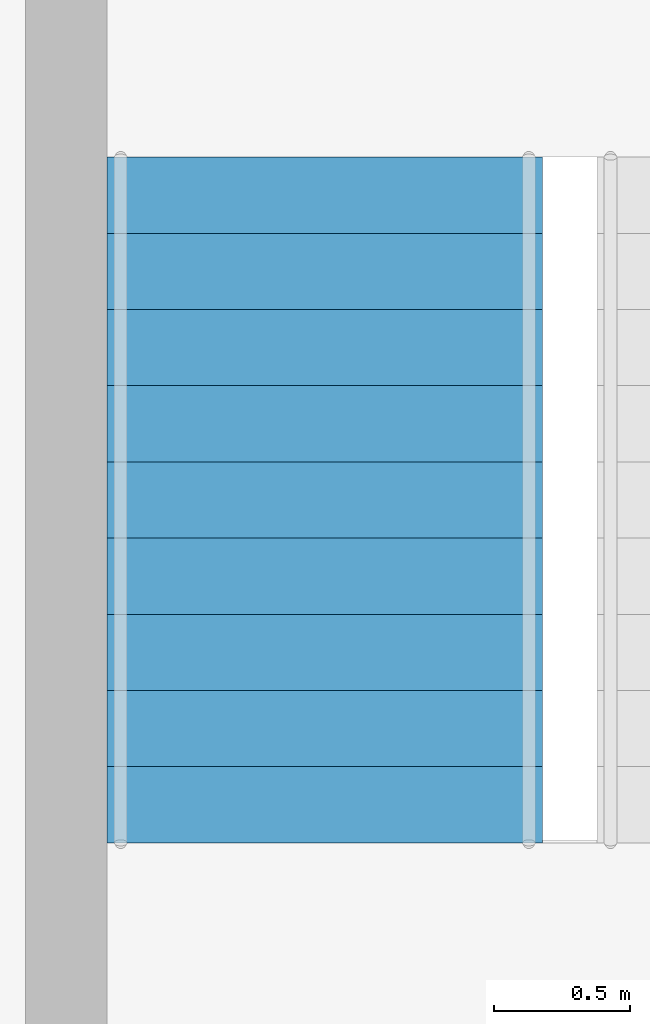
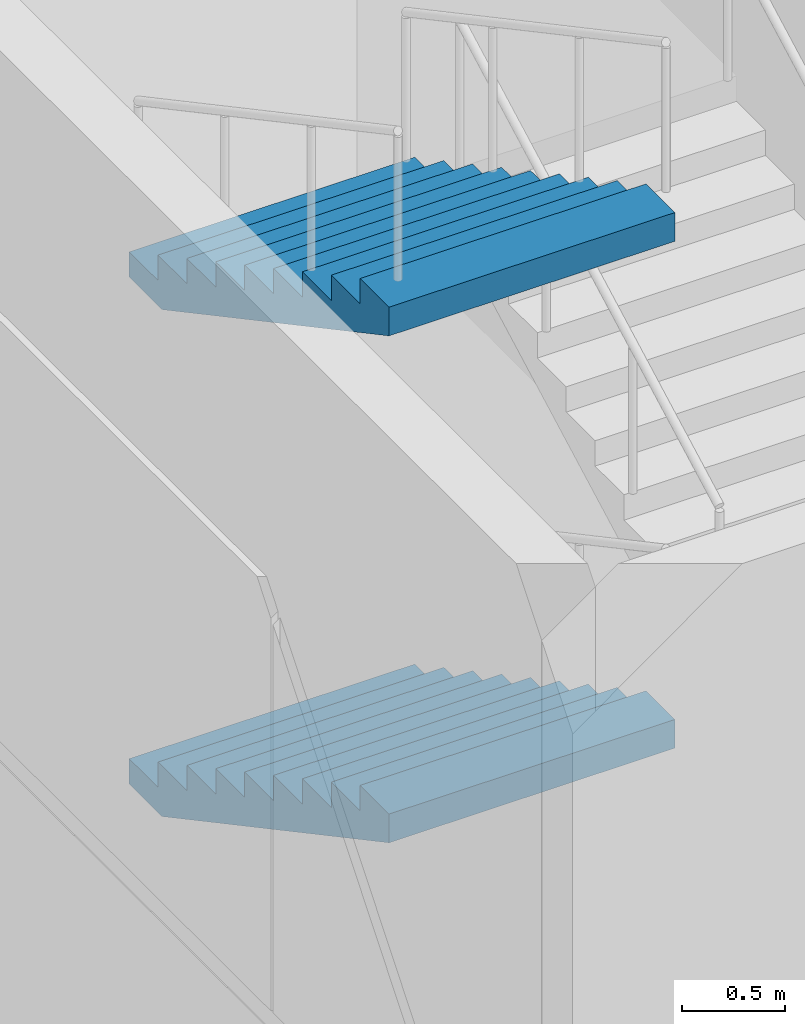
# One storey, part 78 of 100: 2 stair flights, 1 element without a shape of its own.
"""IFC4 building model written with IfcOpenShell, lengths in metres."""

import ifcopenshell
import ifcopenshell.guid

model = None  # the IFC model being written
_history = None  # IfcOwnerHistory: only IFC2X3 demands one
_inside = {}  # id of a spatial element -> (the spatial element, [elements in it])
_under = {}  # id of a project, library or spatial element -> (it, [spatial elements below it])
_declared = {}  # id of a project -> (the project, [libraries it declares])
_typed = {}  # id of a type object -> (the type object, [elements of that type])
_made_of = {}  # id of a material, layer set ... -> (it, [elements and type objects made of it])


def new_model(schema):
    """Start an empty IFC model of exactly this schema.

    Asked for "IFC4X3", IfcOpenShell would pick the latest addendum, in which some entities
    have other attributes; the version numbers below select the first issue.
    IFC2X3 requires an IfcOwnerHistory on every rooted entity: one is made here for all.
    """
    global model, _history
    if schema == "IFC4X3":
        model = ifcopenshell.file(schema_version=(4, 3, 0, 0))
    else:
        model = ifcopenshell.file(schema=schema)
    _inside.clear()
    _under.clear()
    _declared.clear()
    _typed.clear()
    _made_of.clear()
    _history = None
    if model.schema == "IFC2X3":
        org = make("IfcOrganization", Name="unknown")
        user = make(
            "IfcPersonAndOrganization",
            ThePerson=make("IfcPerson", FamilyName="unknown"),
            TheOrganization=org,
        )
        app = make(
            "IfcApplication",
            ApplicationDeveloper=org,
            Version="unknown",
            ApplicationFullName="unknown",
            ApplicationIdentifier="unknown",
        )
        _history = make(
            "IfcOwnerHistory",
            OwningUser=user,
            OwningApplication=app,
            ChangeAction="ADDED",
            CreationDate=0,
        )
    return model


def make(cls, **values):
    """One entity of the class cls with the attributes given. An attribute that is None is left unset."""
    return model.create_entity(
        cls, **{name: value for name, value in values.items() if value is not None}
    )


def rooted(cls, **values):
    """An entity with a GlobalId (a new one), such as an element, a storey or a relation."""
    return make(cls, GlobalId=ifcopenshell.guid.new(), OwnerHistory=_history, **values)


def si_unit(unit_type, name, prefix=None):
    """IfcSIUnit, for example si_unit("LENGTHUNIT", "METRE", prefix="MILLI")."""
    return make("IfcSIUnit", UnitType=unit_type, Prefix=prefix, Name=name)


def assignment(units):
    """IfcUnitAssignment: the units of a project."""
    return None if units is None else make("IfcUnitAssignment", Units=units)


def point(xyz):
    """IfcCartesianPoint."""
    return None if xyz is None else make("IfcCartesianPoint", Coordinates=xyz)


def direction(xyz):
    """IfcDirection."""
    return None if xyz is None else make("IfcDirection", DirectionRatios=xyz)


def frame(location, z_axis=None, x_axis=None):
    """IfcAxis2Placement3D, a coordinate frame: its origin and axes. An axis left out is left unset."""
    return make(
        "IfcAxis2Placement3D",
        Location=point(location),
        Axis=direction(z_axis),
        RefDirection=direction(x_axis),
    )


def origin():
    """The frame at (0, 0, 0) with its axes left unset."""
    return frame((0.0, 0.0, 0.0))


def place(relative_to, where):
    """IfcLocalPlacement: puts the frame where relative to a parent placement (None: the world)."""
    return make(
        "IfcLocalPlacement", PlacementRelTo=relative_to, RelativePlacement=where
    )


def context(
    kind, dimensions, precision=None, world=None, true_north=None, identifier=None
):
    """IfcGeometricRepresentationContext, for example the 3D "Model" context."""
    return make(
        "IfcGeometricRepresentationContext",
        ContextIdentifier=identifier,
        ContextType=kind,
        CoordinateSpaceDimension=dimensions,
        Precision=precision,
        WorldCoordinateSystem=world,
        TrueNorth=true_north,
    )


def subcontext(parent, identifier, kind, view, scale=None):
    """IfcGeometricRepresentationSubContext, for example "Body" below "Model"."""
    return make(
        "IfcGeometricRepresentationSubContext",
        ContextIdentifier=identifier,
        ContextType=kind,
        ParentContext=parent,
        TargetScale=scale,
        TargetView=view,
    )


def project(units=None, contexts=None):
    """IfcProject with its units and contexts."""
    return rooted(
        "IfcProject",
        Name="project",
        RepresentationContexts=contexts,
        UnitsInContext=assignment(units),
    )


def spatial(cls, under=None, at=None, **own):
    """A site, building, storey or space (cls), placed at a placement, below another one or the project."""
    s = rooted(cls, ObjectPlacement=at, **own)
    if under is not None:
        _under.setdefault(under.id(), (under, []))[1].append(s)
    return s


def point_list(points):
    """IfcCartesianPointList2D or 3D."""
    cls = (
        "IfcCartesianPointList2D" if len(points[0]) == 2 else "IfcCartesianPointList3D"
    )
    return make(cls, CoordList=points)


def triangles(points, corners, closed=None, point_numbers=None):
    """IfcTriangulatedFaceSet: each triangle names its three corners, points numbered from 1."""
    return make(
        "IfcTriangulatedFaceSet",
        Coordinates=point_list(points),
        Closed=closed,
        CoordIndex=corners,
        PnIndex=point_numbers,
    )


def shape(context_of_items, identifier, shape_type, items):
    """IfcShapeRepresentation: the items that make up one representation, for example the "Body"."""
    return make(
        "IfcShapeRepresentation",
        ContextOfItems=context_of_items,
        RepresentationIdentifier=identifier,
        RepresentationType=shape_type,
        Items=items,
    )


def material(Name=None, Category=None):
    """IfcMaterial."""
    return make("IfcMaterial", Name=Name, Category=Category)


def made_of(thing, what):
    """Note that an element or type object is made of a material, layer set ...; save() writes the relation."""
    if what is not None:
        _made_of.setdefault(what.id(), (what, []))[1].append(thing)
    return thing


def type_object(cls, material=None, **own):
    """A type object (cls), such as IfcWallType, which elements share."""
    return made_of(rooted(cls, **own), material)


def element(
    cls,
    number,
    at=None,
    inside=None,
    cuts=None,
    type_object=None,
    material=None,
    context=None,
    identifier="Body",
    shape_type=None,
    held_by="IfcProductDefinitionShape",
    body=None,
    shapes=None,
    **own,
):
    """One element of the class cls, such as IfcWall. Its Tag is "e" and its number.

    at: its placement. inside: the storey or other place that contains it. cuts: it is an
    opening in that element (IfcRelVoidsElement). A single representation is given by context,
    identifier, shape_type and body (its items); several are given by shapes. held_by: the class
    of the entity that holds the representations. save() writes the other relations.
    """
    e = rooted(cls, Tag="e%d" % number, ObjectPlacement=at, **own)
    if body is not None:
        shapes = [shape(context, identifier, shape_type, body)]
    if shapes is not None:
        e.Representation = make(held_by, Representations=shapes)
    if inside is not None:
        _inside.setdefault(inside.id(), (inside, []))[1].append(e)
    if cuts is not None:
        rooted(
            "IfcRelVoidsElement", RelatingBuildingElement=cuts, RelatedOpeningElement=e
        )
    if type_object is not None:
        _typed.setdefault(type_object.id(), (type_object, []))[1].append(e)
    return made_of(e, material)


def aggregate(whole, parts):
    """IfcRelAggregates: a whole, such as a stair, and the parts it consists of."""
    return rooted("IfcRelAggregates", RelatingObject=whole, RelatedObjects=parts)


def save(model, path):
    """Write the relations noted so far, then the file.

    IfcRelAggregates (storeys below a building ...), IfcRelContainedInSpatialStructure (elements
    in a storey), IfcRelDefinesByType, IfcRelAssociatesMaterial and IfcRelDeclares: one each for
    every whole, place, type object, material and project.
    """
    for whole, parts in _under.values():
        aggregate(whole, parts)
    for where, things in _inside.values():
        rooted(
            "IfcRelContainedInSpatialStructure",
            RelatedElements=things,
            RelatingStructure=where,
        )
    for kind, things in _typed.values():
        rooted("IfcRelDefinesByType", RelatedObjects=things, RelatingType=kind)
    for what, things in _made_of.values():
        rooted("IfcRelAssociatesMaterial", RelatedObjects=things, RelatingMaterial=what)
    for by, libraries in _declared.values():
        rooted("IfcRelDeclares", RelatingContext=by, RelatedDefinitions=libraries)
    model.write(path)


model = new_model("IFC4")

# Units and contexts
model_context = context("Model", 3, precision=1e-05, world=origin(), true_north=direction((0.0, 1.0)))
body_context = subcontext(model_context, "Body", "Model", "MODEL_VIEW")
ifc_project = project(units=[si_unit("LENGTHUNIT", "METRE"), si_unit("AREAUNIT", "SQUARE_METRE"), si_unit("VOLUMEUNIT", "CUBIC_METRE"), si_unit("PLANEANGLEUNIT", "RADIAN"), si_unit("MASSUNIT", "GRAM", prefix="KILO")], contexts=[model_context])

# Site, building, storey
site_placement = place(None, origin())
site = spatial("IfcSite", under=ifc_project, at=site_placement, CompositionType="ELEMENT")
building_placement = place(site_placement, origin())
building = spatial("IfcBuilding", under=site, at=building_placement, Name="Hakoniwa Tower and Hamabe Station Hall", CompositionType="ELEMENT")
storey_placement = place(building_placement, frame((0.0, 0.0, 9.0)))
storey = spatial("IfcBuildingStorey", under=building, at=storey_placement, Name="L02", CompositionType="ELEMENT", Elevation=9.0)

# Stair, stair flights
ifc_material_1 = material(Name="Concrete C40", Category="concrete")
stair_type = type_object("IfcStairType", Name="STAIR 1600 10X150", PredefinedType="HALF_TURN_STAIR", material=ifc_material_1)
stair_placement = place(storey_placement, origin())
stair = element("IfcStair", 1, at=stair_placement, inside=storey, type_object=stair_type, Name="Escape stair SS1 L02", PredefinedType="HALF_TURN_STAIR")
ifc_material_2 = material(Name="Concrete C40", Category="concrete")
stair_flight_type = type_object("IfcStairFlightType", Name="STAIR FLIGHT 1600", PredefinedType="STRAIGHT", material=ifc_material_2)
stair_flight_1_placement = place(storey_placement, frame((87.449951171875, 19.419921875, 1.5), z_axis=(0.0, 0.0, 1.0), x_axis=(0.0, -1.0, 0.0)))
stair_flight_1 = element("IfcStairFlight", 2, at=stair_flight_1_placement, type_object=stair_flight_type, Name="SS1 flight 2", NumberOfRisers=10, NumberOfTreads=9, PredefinedType="STRAIGHT", RiserHeight=0.15, TreadLength=0.28, context=body_context, shape_type="Tessellation", body=[
    triangles([(0.0, 0.800048828125, 0.0), (0.280029296875, 0.800048828125, 0.0), (0.3173828125, 0.800048828125, 0.0), (0.56005859375, 0.800048828125, 0.1298828125), (0.840087890625, 0.800048828125, 0.280029296875), (1.1201171875, 0.800048828125, 0.429931640625), (1.39990234375, 0.800048828125, 0.579833984375), (1.679931640625, 0.800048828125, 0.72998046875), (1.9599609375, 0.800048828125, 0.8798828125), (2.239990234375, 0.800048828125, 1.030029296875), (2.52001953125, 0.800048828125, 1.179931640625), (2.52001953125, 0.800048828125, 1.35009765625), (2.239990234375, 0.800048828125, 1.35009765625), (2.239990234375, 0.800048828125, 1.199951171875), (1.9599609375, 0.800048828125, 1.199951171875), (1.9599609375, 0.800048828125, 1.050048828125), (1.679931640625, 0.800048828125, 1.050048828125), (1.679931640625, 0.800048828125, 0.89990234375), (1.39990234375, 0.800048828125, 0.89990234375), (1.39990234375, 0.800048828125, 0.75), (1.1201171875, 0.800048828125, 0.75), (1.1201171875, 0.800048828125, 0.60009765625), (0.840087890625, 0.800048828125, 0.60009765625), (0.840087890625, 0.800048828125, 0.449951171875), (0.56005859375, 0.800048828125, 0.449951171875), (0.56005859375, 0.800048828125, 0.300048828125), (0.3173828125, 0.800048828125, 0.300048828125), (0.280029296875, 0.800048828125, 0.300048828125), (0.280029296875, 0.800048828125, 0.14990234375), (0.0, 0.800048828125, 0.14990234375), (0.0, 0.06005859375, 0.0), (0.280029296875, 0.06005859375, 0.0), (0.3173828125, 0.06005859375, 0.0), (0.56005859375, 0.06005859375, 0.1298828125), (0.840087890625, 0.06005859375, 0.280029296875), (1.1201171875, 0.06005859375, 0.429931640625), (1.39990234375, 0.06005859375, 0.579833984375), (1.679931640625, 0.06005859375, 0.72998046875), (1.9599609375, 0.06005859375, 0.8798828125), (2.239990234375, 0.06005859375, 1.030029296875), (2.52001953125, 0.06005859375, 1.179931640625), (2.52001953125, 0.06005859375, 1.35009765625), (2.239990234375, 0.06005859375, 1.35009765625), (2.239990234375, 0.06005859375, 1.199951171875), (1.9599609375, 0.06005859375, 1.199951171875), (1.9599609375, 0.06005859375, 1.050048828125), (1.679931640625, 0.06005859375, 1.050048828125), (1.679931640625, 0.06005859375, 0.89990234375), (1.39990234375, 0.06005859375, 0.89990234375), (1.39990234375, 0.06005859375, 0.75), (1.1201171875, 0.06005859375, 0.75), (1.1201171875, 0.06005859375, 0.60009765625), (0.840087890625, 0.06005859375, 0.60009765625), (0.840087890625, 0.06005859375, 0.449951171875), (0.56005859375, 0.06005859375, 0.449951171875), (0.56005859375, 0.06005859375, 0.300048828125), (0.3173828125, 0.06005859375, 0.300048828125), (0.280029296875, 0.06005859375, 0.300048828125), (0.280029296875, 0.06005859375, 0.14990234375), (0.0, 0.06005859375, 0.14990234375), (0.0, 0.02001953125, 0.0), (0.280029296875, 0.02001953125, 0.0), (0.3173828125, 0.02001953125, 0.0), (0.56005859375, 0.02001953125, 0.1298828125), (0.840087890625, 0.02001953125, 0.280029296875), (1.1201171875, 0.02001953125, 0.429931640625), (1.39990234375, 0.02001953125, 0.579833984375), (1.679931640625, 0.02001953125, 0.72998046875), (1.9599609375, 0.02001953125, 0.8798828125), (2.239990234375, 0.02001953125, 1.030029296875), (2.52001953125, 0.02001953125, 1.179931640625), (2.52001953125, 0.02001953125, 1.35009765625), (2.239990234375, 0.02001953125, 1.35009765625), (2.239990234375, 0.02001953125, 1.199951171875), (1.9599609375, 0.02001953125, 1.199951171875), (1.9599609375, 0.02001953125, 1.050048828125), (1.679931640625, 0.02001953125, 1.050048828125), (1.679931640625, 0.02001953125, 0.89990234375), (1.39990234375, 0.02001953125, 0.89990234375), (1.39990234375, 0.02001953125, 0.75), (1.1201171875, 0.02001953125, 0.75), (1.1201171875, 0.02001953125, 0.60009765625), (0.840087890625, 0.02001953125, 0.60009765625), (0.840087890625, 0.02001953125, 0.449951171875), (0.56005859375, 0.02001953125, 0.449951171875), (0.56005859375, 0.02001953125, 0.300048828125), (0.3173828125, 0.02001953125, 0.300048828125), (0.280029296875, 0.02001953125, 0.300048828125), (0.280029296875, 0.02001953125, 0.14990234375), (0.0, 0.02001953125, 0.14990234375), (0.0, -0.02001953125, 0.0), (0.280029296875, -0.02001953125, 0.0), (0.3173828125, -0.02001953125, 0.0), (0.56005859375, -0.02001953125, 0.1298828125), (0.840087890625, -0.02001953125, 0.280029296875), (1.1201171875, -0.02001953125, 0.429931640625), (1.39990234375, -0.02001953125, 0.579833984375), (1.679931640625, -0.02001953125, 0.72998046875), (1.9599609375, -0.02001953125, 0.8798828125), (2.239990234375, -0.02001953125, 1.030029296875), (2.52001953125, -0.02001953125, 1.179931640625), (2.52001953125, -0.02001953125, 1.35009765625), (2.239990234375, -0.02001953125, 1.35009765625), (2.239990234375, -0.02001953125, 1.199951171875), (1.9599609375, -0.02001953125, 1.199951171875), (1.9599609375, -0.02001953125, 1.050048828125), (1.679931640625, -0.02001953125, 1.050048828125), (1.679931640625, -0.02001953125, 0.89990234375), (1.39990234375, -0.02001953125, 0.89990234375), (1.39990234375, -0.02001953125, 0.75), (1.1201171875, -0.02001953125, 0.75), (1.1201171875, -0.02001953125, 0.60009765625), (0.840087890625, -0.02001953125, 0.60009765625), (0.840087890625, -0.02001953125, 0.449951171875), (0.56005859375, -0.02001953125, 0.449951171875), (0.56005859375, -0.02001953125, 0.300048828125), (0.3173828125, -0.02001953125, 0.300048828125), (0.280029296875, -0.02001953125, 0.300048828125), (0.280029296875, -0.02001953125, 0.14990234375), (0.0, -0.02001953125, 0.14990234375), (0.0, -0.06005859375, 0.0), (0.280029296875, -0.06005859375, 0.0), (0.3173828125, -0.06005859375, 0.0), (0.56005859375, -0.06005859375, 0.1298828125), (0.840087890625, -0.06005859375, 0.280029296875), (1.1201171875, -0.06005859375, 0.429931640625), (1.39990234375, -0.06005859375, 0.579833984375), (1.679931640625, -0.06005859375, 0.72998046875), (1.9599609375, -0.06005859375, 0.8798828125), (2.239990234375, -0.06005859375, 1.030029296875), (2.52001953125, -0.06005859375, 1.179931640625), (2.52001953125, -0.06005859375, 1.35009765625), (2.239990234375, -0.06005859375, 1.35009765625), (2.239990234375, -0.06005859375, 1.199951171875), (1.9599609375, -0.06005859375, 1.199951171875), (1.9599609375, -0.06005859375, 1.050048828125), (1.679931640625, -0.06005859375, 1.050048828125), (1.679931640625, -0.06005859375, 0.89990234375), (1.39990234375, -0.06005859375, 0.89990234375), (1.39990234375, -0.06005859375, 0.75), (1.1201171875, -0.06005859375, 0.75), (1.1201171875, -0.06005859375, 0.60009765625), (0.840087890625, -0.06005859375, 0.60009765625), (0.840087890625, -0.06005859375, 0.449951171875), (0.56005859375, -0.06005859375, 0.449951171875), (0.56005859375, -0.06005859375, 0.300048828125), (0.3173828125, -0.06005859375, 0.300048828125), (0.280029296875, -0.06005859375, 0.300048828125), (0.280029296875, -0.06005859375, 0.14990234375), (0.0, -0.06005859375, 0.14990234375), (0.0, -0.800048828125, 0.0), (0.280029296875, -0.800048828125, 0.0), (0.3173828125, -0.800048828125, 0.0), (0.56005859375, -0.800048828125, 0.1298828125), (0.840087890625, -0.800048828125, 0.280029296875), (1.1201171875, -0.800048828125, 0.429931640625), (1.39990234375, -0.800048828125, 0.579833984375), (1.679931640625, -0.800048828125, 0.72998046875), (1.9599609375, -0.800048828125, 0.8798828125), (2.239990234375, -0.800048828125, 1.030029296875), (2.52001953125, -0.800048828125, 1.179931640625), (2.52001953125, -0.800048828125, 1.35009765625), (2.239990234375, -0.800048828125, 1.35009765625), (2.239990234375, -0.800048828125, 1.199951171875), (1.9599609375, -0.800048828125, 1.199951171875), (1.9599609375, -0.800048828125, 1.050048828125), (1.679931640625, -0.800048828125, 1.050048828125), (1.679931640625, -0.800048828125, 0.89990234375), (1.39990234375, -0.800048828125, 0.89990234375), (1.39990234375, -0.800048828125, 0.75), (1.1201171875, -0.800048828125, 0.75), (1.1201171875, -0.800048828125, 0.60009765625), (0.840087890625, -0.800048828125, 0.60009765625), (0.840087890625, -0.800048828125, 0.449951171875), (0.56005859375, -0.800048828125, 0.449951171875), (0.56005859375, -0.800048828125, 0.300048828125), (0.3173828125, -0.800048828125, 0.300048828125), (0.280029296875, -0.800048828125, 0.300048828125), (0.280029296875, -0.800048828125, 0.14990234375), (0.0, -0.800048828125, 0.14990234375)], [[2, 30, 29], [152, 179, 180], [2, 1, 30], [152, 180, 151], [3, 28, 27], [153, 177, 178], [3, 29, 28], [153, 178, 179], [3, 2, 29], [153, 179, 152], [4, 27, 26], [154, 176, 177], [4, 3, 27], [154, 177, 153], [5, 25, 24], [155, 174, 175], [5, 26, 25], [155, 175, 176], [5, 4, 26], [155, 176, 154], [6, 23, 22], [156, 172, 173], [6, 24, 23], [156, 173, 174], [6, 5, 24], [156, 174, 155], [7, 21, 20], [157, 170, 171], [7, 22, 21], [157, 171, 172], [7, 6, 22], [157, 172, 156], [8, 19, 18], [158, 168, 169], [8, 20, 19], [158, 169, 170], [8, 7, 20], [158, 170, 157], [9, 17, 16], [159, 166, 167], [9, 18, 17], [159, 167, 168], [9, 8, 18], [159, 168, 158], [10, 15, 14], [160, 164, 165], [10, 16, 15], [160, 165, 166], [10, 9, 16], [160, 166, 159], [11, 13, 12], [161, 162, 163], [11, 14, 13], [161, 163, 164], [11, 10, 14], [161, 164, 160], [1, 2, 32], [1, 32, 31], [31, 32, 62], [31, 62, 61], [61, 62, 92], [61, 92, 91], [91, 92, 122], [91, 122, 121], [121, 122, 152], [121, 152, 151], [2, 3, 33], [2, 33, 32], [32, 33, 63], [32, 63, 62], [62, 63, 93], [62, 93, 92], [92, 93, 123], [92, 123, 122], [122, 123, 153], [122, 153, 152], [3, 4, 34], [3, 34, 33], [33, 34, 64], [33, 64, 63], [63, 64, 94], [63, 94, 93], [93, 94, 124], [93, 124, 123], [123, 124, 154], [123, 154, 153], [4, 5, 35], [4, 35, 34], [34, 35, 65], [34, 65, 64], [64, 65, 95], [64, 95, 94], [94, 95, 125], [94, 125, 124], [124, 125, 155], [124, 155, 154], [5, 6, 36], [5, 36, 35], [35, 36, 66], [35, 66, 65], [65, 66, 96], [65, 96, 95], [95, 96, 126], [95, 126, 125], [125, 126, 156], [125, 156, 155], [6, 7, 37], [6, 37, 36], [36, 37, 67], [36, 67, 66], [66, 67, 97], [66, 97, 96], [96, 97, 127], [96, 127, 126], [126, 127, 157], [126, 157, 156], [7, 8, 38], [7, 38, 37], [37, 38, 68], [37, 68, 67], [67, 68, 98], [67, 98, 97], [97, 98, 128], [97, 128, 127], [127, 128, 158], [127, 158, 157], [8, 9, 39], [8, 39, 38], [38, 39, 69], [38, 69, 68], [68, 69, 99], [68, 99, 98], [98, 99, 129], [98, 129, 128], [128, 129, 159], [128, 159, 158], [9, 10, 40], [9, 40, 39], [39, 40, 70], [39, 70, 69], [69, 70, 100], [69, 100, 99], [99, 100, 130], [99, 130, 129], [129, 130, 160], [129, 160, 159], [10, 11, 41], [10, 41, 40], [40, 41, 71], [40, 71, 70], [70, 71, 101], [70, 101, 100], [100, 101, 131], [100, 131, 130], [130, 131, 161], [130, 161, 160], [11, 12, 42], [11, 42, 41], [41, 42, 72], [41, 72, 71], [71, 72, 102], [71, 102, 101], [101, 102, 132], [101, 132, 131], [131, 132, 162], [131, 162, 161], [12, 13, 43], [12, 43, 42], [42, 43, 73], [42, 73, 72], [72, 73, 103], [72, 103, 102], [102, 103, 133], [102, 133, 132], [132, 133, 163], [132, 163, 162], [13, 14, 44], [13, 44, 43], [43, 44, 74], [43, 74, 73], [73, 74, 104], [73, 104, 103], [103, 104, 134], [103, 134, 133], [133, 134, 164], [133, 164, 163], [14, 15, 45], [14, 45, 44], [44, 45, 75], [44, 75, 74], [74, 75, 105], [74, 105, 104], [104, 105, 135], [104, 135, 134], [134, 135, 165], [134, 165, 164], [15, 16, 46], [15, 46, 45], [45, 46, 76], [45, 76, 75], [75, 76, 106], [75, 106, 105], [105, 106, 136], [105, 136, 135], [135, 136, 166], [135, 166, 165], [16, 17, 47], [16, 47, 46], [46, 47, 77], [46, 77, 76], [76, 77, 107], [76, 107, 106], [106, 107, 137], [106, 137, 136], [136, 137, 167], [136, 167, 166], [17, 18, 48], [17, 48, 47], [47, 48, 78], [47, 78, 77], [77, 78, 108], [77, 108, 107], [107, 108, 138], [107, 138, 137], [137, 138, 168], [137, 168, 167], [18, 19, 49], [18, 49, 48], [48, 49, 79], [48, 79, 78], [78, 79, 109], [78, 109, 108], [108, 109, 139], [108, 139, 138], [138, 139, 169], [138, 169, 168], [19, 20, 50], [19, 50, 49], [49, 50, 80], [49, 80, 79], [79, 80, 110], [79, 110, 109], [109, 110, 140], [109, 140, 139], [139, 140, 170], [139, 170, 169], [20, 21, 51], [20, 51, 50], [50, 51, 81], [50, 81, 80], [80, 81, 111], [80, 111, 110], [110, 111, 141], [110, 141, 140], [140, 141, 171], [140, 171, 170], [21, 22, 52], [21, 52, 51], [51, 52, 82], [51, 82, 81], [81, 82, 112], [81, 112, 111], [111, 112, 142], [111, 142, 141], [141, 142, 172], [141, 172, 171], [22, 23, 53], [22, 53, 52], [52, 53, 83], [52, 83, 82], [82, 83, 113], [82, 113, 112], [112, 113, 143], [112, 143, 142], [142, 143, 173], [142, 173, 172], [23, 24, 54], [23, 54, 53], [53, 54, 84], [53, 84, 83], [83, 84, 114], [83, 114, 113], [113, 114, 144], [113, 144, 143], [143, 144, 174], [143, 174, 173], [24, 25, 55], [24, 55, 54], [54, 55, 85], [54, 85, 84], [84, 85, 115], [84, 115, 114], [114, 115, 145], [114, 145, 144], [144, 145, 175], [144, 175, 174], [25, 26, 56], [25, 56, 55], [55, 56, 86], [55, 86, 85], [85, 86, 116], [85, 116, 115], [115, 116, 146], [115, 146, 145], [145, 146, 176], [145, 176, 175], [26, 27, 57], [26, 57, 56], [56, 57, 87], [56, 87, 86], [86, 87, 117], [86, 117, 116], [116, 117, 147], [116, 147, 146], [146, 147, 177], [146, 177, 176], [27, 28, 58], [27, 58, 57], [57, 58, 88], [57, 88, 87], [87, 88, 118], [87, 118, 117], [117, 118, 148], [117, 148, 147], [147, 148, 178], [147, 178, 177], [28, 29, 59], [28, 59, 58], [58, 59, 89], [58, 89, 88], [88, 89, 119], [88, 119, 118], [118, 119, 149], [118, 149, 148], [148, 149, 179], [148, 179, 178], [29, 30, 60], [29, 60, 59], [59, 60, 90], [59, 90, 89], [89, 90, 120], [89, 120, 119], [119, 120, 150], [119, 150, 149], [149, 150, 180], [149, 180, 179], [30, 1, 31], [30, 31, 60], [60, 31, 61], [60, 61, 90], [90, 61, 91], [90, 91, 120], [120, 91, 121], [120, 121, 150], [150, 121, 151], [150, 151, 180]], closed=True),
])
stair_flight_2_placement = place(storey_placement, frame((87.449951171875, 19.419921875, 4.5), z_axis=(0.0, 0.0, 1.0), x_axis=(0.0, -1.0, 0.0)))
stair_flight_2 = element("IfcStairFlight", 3, at=stair_flight_2_placement, type_object=stair_flight_type, Name="SS1 flight 4", NumberOfRisers=10, NumberOfTreads=9, PredefinedType="STRAIGHT", RiserHeight=0.15, TreadLength=0.28, context=body_context, shape_type="Tessellation", body=[
    triangles([(0.0, 0.800048828125, 0.0), (0.280029296875, 0.800048828125, 0.0), (0.3173828125, 0.800048828125, 0.0), (0.56005859375, 0.800048828125, 0.1298828125), (0.840087890625, 0.800048828125, 0.280029296875), (1.1201171875, 0.800048828125, 0.429931640625), (1.39990234375, 0.800048828125, 0.579833984375), (1.679931640625, 0.800048828125, 0.72998046875), (1.9599609375, 0.800048828125, 0.8798828125), (2.239990234375, 0.800048828125, 1.030029296875), (2.52001953125, 0.800048828125, 1.179931640625), (2.52001953125, 0.800048828125, 1.35009765625), (2.239990234375, 0.800048828125, 1.35009765625), (2.239990234375, 0.800048828125, 1.199951171875), (1.9599609375, 0.800048828125, 1.199951171875), (1.9599609375, 0.800048828125, 1.050048828125), (1.679931640625, 0.800048828125, 1.050048828125), (1.679931640625, 0.800048828125, 0.89990234375), (1.39990234375, 0.800048828125, 0.89990234375), (1.39990234375, 0.800048828125, 0.75), (1.1201171875, 0.800048828125, 0.75), (1.1201171875, 0.800048828125, 0.60009765625), (0.840087890625, 0.800048828125, 0.60009765625), (0.840087890625, 0.800048828125, 0.449951171875), (0.56005859375, 0.800048828125, 0.449951171875), (0.56005859375, 0.800048828125, 0.300048828125), (0.3173828125, 0.800048828125, 0.300048828125), (0.280029296875, 0.800048828125, 0.300048828125), (0.280029296875, 0.800048828125, 0.14990234375), (0.0, 0.800048828125, 0.14990234375), (0.0, 0.06005859375, 0.0), (0.280029296875, 0.06005859375, 0.0), (0.3173828125, 0.06005859375, 0.0), (0.56005859375, 0.06005859375, 0.1298828125), (0.840087890625, 0.06005859375, 0.280029296875), (1.1201171875, 0.06005859375, 0.429931640625), (1.39990234375, 0.06005859375, 0.579833984375), (1.679931640625, 0.06005859375, 0.72998046875), (1.9599609375, 0.06005859375, 0.8798828125), (2.239990234375, 0.06005859375, 1.030029296875), (2.52001953125, 0.06005859375, 1.179931640625), (2.52001953125, 0.06005859375, 1.35009765625), (2.239990234375, 0.06005859375, 1.35009765625), (2.239990234375, 0.06005859375, 1.199951171875), (1.9599609375, 0.06005859375, 1.199951171875), (1.9599609375, 0.06005859375, 1.050048828125), (1.679931640625, 0.06005859375, 1.050048828125), (1.679931640625, 0.06005859375, 0.89990234375), (1.39990234375, 0.06005859375, 0.89990234375), (1.39990234375, 0.06005859375, 0.75), (1.1201171875, 0.06005859375, 0.75), (1.1201171875, 0.06005859375, 0.60009765625), (0.840087890625, 0.06005859375, 0.60009765625), (0.840087890625, 0.06005859375, 0.449951171875), (0.56005859375, 0.06005859375, 0.449951171875), (0.56005859375, 0.06005859375, 0.300048828125), (0.3173828125, 0.06005859375, 0.300048828125), (0.280029296875, 0.06005859375, 0.300048828125), (0.280029296875, 0.06005859375, 0.14990234375), (0.0, 0.06005859375, 0.14990234375), (0.0, 0.02001953125, 0.0), (0.280029296875, 0.02001953125, 0.0), (0.3173828125, 0.02001953125, 0.0), (0.56005859375, 0.02001953125, 0.1298828125), (0.840087890625, 0.02001953125, 0.280029296875), (1.1201171875, 0.02001953125, 0.429931640625), (1.39990234375, 0.02001953125, 0.579833984375), (1.679931640625, 0.02001953125, 0.72998046875), (1.9599609375, 0.02001953125, 0.8798828125), (2.239990234375, 0.02001953125, 1.030029296875), (2.52001953125, 0.02001953125, 1.179931640625), (2.52001953125, 0.02001953125, 1.35009765625), (2.239990234375, 0.02001953125, 1.35009765625), (2.239990234375, 0.02001953125, 1.199951171875), (1.9599609375, 0.02001953125, 1.199951171875), (1.9599609375, 0.02001953125, 1.050048828125), (1.679931640625, 0.02001953125, 1.050048828125), (1.679931640625, 0.02001953125, 0.89990234375), (1.39990234375, 0.02001953125, 0.89990234375), (1.39990234375, 0.02001953125, 0.75), (1.1201171875, 0.02001953125, 0.75), (1.1201171875, 0.02001953125, 0.60009765625), (0.840087890625, 0.02001953125, 0.60009765625), (0.840087890625, 0.02001953125, 0.449951171875), (0.56005859375, 0.02001953125, 0.449951171875), (0.56005859375, 0.02001953125, 0.300048828125), (0.3173828125, 0.02001953125, 0.300048828125), (0.280029296875, 0.02001953125, 0.300048828125), (0.280029296875, 0.02001953125, 0.14990234375), (0.0, 0.02001953125, 0.14990234375), (0.0, -0.02001953125, 0.0), (0.280029296875, -0.02001953125, 0.0), (0.3173828125, -0.02001953125, 0.0), (0.56005859375, -0.02001953125, 0.1298828125), (0.840087890625, -0.02001953125, 0.280029296875), (1.1201171875, -0.02001953125, 0.429931640625), (1.39990234375, -0.02001953125, 0.579833984375), (1.679931640625, -0.02001953125, 0.72998046875), (1.9599609375, -0.02001953125, 0.8798828125), (2.239990234375, -0.02001953125, 1.030029296875), (2.52001953125, -0.02001953125, 1.179931640625), (2.52001953125, -0.02001953125, 1.35009765625), (2.239990234375, -0.02001953125, 1.35009765625), (2.239990234375, -0.02001953125, 1.199951171875), (1.9599609375, -0.02001953125, 1.199951171875), (1.9599609375, -0.02001953125, 1.050048828125), (1.679931640625, -0.02001953125, 1.050048828125), (1.679931640625, -0.02001953125, 0.89990234375), (1.39990234375, -0.02001953125, 0.89990234375), (1.39990234375, -0.02001953125, 0.75), (1.1201171875, -0.02001953125, 0.75), (1.1201171875, -0.02001953125, 0.60009765625), (0.840087890625, -0.02001953125, 0.60009765625), (0.840087890625, -0.02001953125, 0.449951171875), (0.56005859375, -0.02001953125, 0.449951171875), (0.56005859375, -0.02001953125, 0.300048828125), (0.3173828125, -0.02001953125, 0.300048828125), (0.280029296875, -0.02001953125, 0.300048828125), (0.280029296875, -0.02001953125, 0.14990234375), (0.0, -0.02001953125, 0.14990234375), (0.0, -0.06005859375, 0.0), (0.280029296875, -0.06005859375, 0.0), (0.3173828125, -0.06005859375, 0.0), (0.56005859375, -0.06005859375, 0.1298828125), (0.840087890625, -0.06005859375, 0.280029296875), (1.1201171875, -0.06005859375, 0.429931640625), (1.39990234375, -0.06005859375, 0.579833984375), (1.679931640625, -0.06005859375, 0.72998046875), (1.9599609375, -0.06005859375, 0.8798828125), (2.239990234375, -0.06005859375, 1.030029296875), (2.52001953125, -0.06005859375, 1.179931640625), (2.52001953125, -0.06005859375, 1.35009765625), (2.239990234375, -0.06005859375, 1.35009765625), (2.239990234375, -0.06005859375, 1.199951171875), (1.9599609375, -0.06005859375, 1.199951171875), (1.9599609375, -0.06005859375, 1.050048828125), (1.679931640625, -0.06005859375, 1.050048828125), (1.679931640625, -0.06005859375, 0.89990234375), (1.39990234375, -0.06005859375, 0.89990234375), (1.39990234375, -0.06005859375, 0.75), (1.1201171875, -0.06005859375, 0.75), (1.1201171875, -0.06005859375, 0.60009765625), (0.840087890625, -0.06005859375, 0.60009765625), (0.840087890625, -0.06005859375, 0.449951171875), (0.56005859375, -0.06005859375, 0.449951171875), (0.56005859375, -0.06005859375, 0.300048828125), (0.3173828125, -0.06005859375, 0.300048828125), (0.280029296875, -0.06005859375, 0.300048828125), (0.280029296875, -0.06005859375, 0.14990234375), (0.0, -0.06005859375, 0.14990234375), (0.0, -0.800048828125, 0.0), (0.280029296875, -0.800048828125, 0.0), (0.3173828125, -0.800048828125, 0.0), (0.56005859375, -0.800048828125, 0.1298828125), (0.840087890625, -0.800048828125, 0.280029296875), (1.1201171875, -0.800048828125, 0.429931640625), (1.39990234375, -0.800048828125, 0.579833984375), (1.679931640625, -0.800048828125, 0.72998046875), (1.9599609375, -0.800048828125, 0.8798828125), (2.239990234375, -0.800048828125, 1.030029296875), (2.52001953125, -0.800048828125, 1.179931640625), (2.52001953125, -0.800048828125, 1.35009765625), (2.239990234375, -0.800048828125, 1.35009765625), (2.239990234375, -0.800048828125, 1.199951171875), (1.9599609375, -0.800048828125, 1.199951171875), (1.9599609375, -0.800048828125, 1.050048828125), (1.679931640625, -0.800048828125, 1.050048828125), (1.679931640625, -0.800048828125, 0.89990234375), (1.39990234375, -0.800048828125, 0.89990234375), (1.39990234375, -0.800048828125, 0.75), (1.1201171875, -0.800048828125, 0.75), (1.1201171875, -0.800048828125, 0.60009765625), (0.840087890625, -0.800048828125, 0.60009765625), (0.840087890625, -0.800048828125, 0.449951171875), (0.56005859375, -0.800048828125, 0.449951171875), (0.56005859375, -0.800048828125, 0.300048828125), (0.3173828125, -0.800048828125, 0.300048828125), (0.280029296875, -0.800048828125, 0.300048828125), (0.280029296875, -0.800048828125, 0.14990234375), (0.0, -0.800048828125, 0.14990234375)], [[2, 30, 29], [152, 179, 180], [2, 1, 30], [152, 180, 151], [3, 28, 27], [153, 177, 178], [3, 29, 28], [153, 178, 179], [3, 2, 29], [153, 179, 152], [4, 27, 26], [154, 176, 177], [4, 3, 27], [154, 177, 153], [5, 25, 24], [155, 174, 175], [5, 26, 25], [155, 175, 176], [5, 4, 26], [155, 176, 154], [6, 23, 22], [156, 172, 173], [6, 24, 23], [156, 173, 174], [6, 5, 24], [156, 174, 155], [7, 21, 20], [157, 170, 171], [7, 22, 21], [157, 171, 172], [7, 6, 22], [157, 172, 156], [8, 19, 18], [158, 168, 169], [8, 20, 19], [158, 169, 170], [8, 7, 20], [158, 170, 157], [9, 17, 16], [159, 166, 167], [9, 18, 17], [159, 167, 168], [9, 8, 18], [159, 168, 158], [10, 15, 14], [160, 164, 165], [10, 16, 15], [160, 165, 166], [10, 9, 16], [160, 166, 159], [11, 13, 12], [161, 162, 163], [11, 14, 13], [161, 163, 164], [11, 10, 14], [161, 164, 160], [1, 2, 32], [1, 32, 31], [31, 32, 62], [31, 62, 61], [61, 62, 92], [61, 92, 91], [91, 92, 122], [91, 122, 121], [121, 122, 152], [121, 152, 151], [2, 3, 33], [2, 33, 32], [32, 33, 63], [32, 63, 62], [62, 63, 93], [62, 93, 92], [92, 93, 123], [92, 123, 122], [122, 123, 153], [122, 153, 152], [3, 4, 34], [3, 34, 33], [33, 34, 64], [33, 64, 63], [63, 64, 94], [63, 94, 93], [93, 94, 124], [93, 124, 123], [123, 124, 154], [123, 154, 153], [4, 5, 35], [4, 35, 34], [34, 35, 65], [34, 65, 64], [64, 65, 95], [64, 95, 94], [94, 95, 125], [94, 125, 124], [124, 125, 155], [124, 155, 154], [5, 6, 36], [5, 36, 35], [35, 36, 66], [35, 66, 65], [65, 66, 96], [65, 96, 95], [95, 96, 126], [95, 126, 125], [125, 126, 156], [125, 156, 155], [6, 7, 37], [6, 37, 36], [36, 37, 67], [36, 67, 66], [66, 67, 97], [66, 97, 96], [96, 97, 127], [96, 127, 126], [126, 127, 157], [126, 157, 156], [7, 8, 38], [7, 38, 37], [37, 38, 68], [37, 68, 67], [67, 68, 98], [67, 98, 97], [97, 98, 128], [97, 128, 127], [127, 128, 158], [127, 158, 157], [8, 9, 39], [8, 39, 38], [38, 39, 69], [38, 69, 68], [68, 69, 99], [68, 99, 98], [98, 99, 129], [98, 129, 128], [128, 129, 159], [128, 159, 158], [9, 10, 40], [9, 40, 39], [39, 40, 70], [39, 70, 69], [69, 70, 100], [69, 100, 99], [99, 100, 130], [99, 130, 129], [129, 130, 160], [129, 160, 159], [10, 11, 41], [10, 41, 40], [40, 41, 71], [40, 71, 70], [70, 71, 101], [70, 101, 100], [100, 101, 131], [100, 131, 130], [130, 131, 161], [130, 161, 160], [11, 12, 42], [11, 42, 41], [41, 42, 72], [41, 72, 71], [71, 72, 102], [71, 102, 101], [101, 102, 132], [101, 132, 131], [131, 132, 162], [131, 162, 161], [12, 13, 43], [12, 43, 42], [42, 43, 73], [42, 73, 72], [72, 73, 103], [72, 103, 102], [102, 103, 133], [102, 133, 132], [132, 133, 163], [132, 163, 162], [13, 14, 44], [13, 44, 43], [43, 44, 74], [43, 74, 73], [73, 74, 104], [73, 104, 103], [103, 104, 134], [103, 134, 133], [133, 134, 164], [133, 164, 163], [14, 15, 45], [14, 45, 44], [44, 45, 75], [44, 75, 74], [74, 75, 105], [74, 105, 104], [104, 105, 135], [104, 135, 134], [134, 135, 165], [134, 165, 164], [15, 16, 46], [15, 46, 45], [45, 46, 76], [45, 76, 75], [75, 76, 106], [75, 106, 105], [105, 106, 136], [105, 136, 135], [135, 136, 166], [135, 166, 165], [16, 17, 47], [16, 47, 46], [46, 47, 77], [46, 77, 76], [76, 77, 107], [76, 107, 106], [106, 107, 137], [106, 137, 136], [136, 137, 167], [136, 167, 166], [17, 18, 48], [17, 48, 47], [47, 48, 78], [47, 78, 77], [77, 78, 108], [77, 108, 107], [107, 108, 138], [107, 138, 137], [137, 138, 168], [137, 168, 167], [18, 19, 49], [18, 49, 48], [48, 49, 79], [48, 79, 78], [78, 79, 109], [78, 109, 108], [108, 109, 139], [108, 139, 138], [138, 139, 169], [138, 169, 168], [19, 20, 50], [19, 50, 49], [49, 50, 80], [49, 80, 79], [79, 80, 110], [79, 110, 109], [109, 110, 140], [109, 140, 139], [139, 140, 170], [139, 170, 169], [20, 21, 51], [20, 51, 50], [50, 51, 81], [50, 81, 80], [80, 81, 111], [80, 111, 110], [110, 111, 141], [110, 141, 140], [140, 141, 171], [140, 171, 170], [21, 22, 52], [21, 52, 51], [51, 52, 82], [51, 82, 81], [81, 82, 112], [81, 112, 111], [111, 112, 142], [111, 142, 141], [141, 142, 172], [141, 172, 171], [22, 23, 53], [22, 53, 52], [52, 53, 83], [52, 83, 82], [82, 83, 113], [82, 113, 112], [112, 113, 143], [112, 143, 142], [142, 143, 173], [142, 173, 172], [23, 24, 54], [23, 54, 53], [53, 54, 84], [53, 84, 83], [83, 84, 114], [83, 114, 113], [113, 114, 144], [113, 144, 143], [143, 144, 174], [143, 174, 173], [24, 25, 55], [24, 55, 54], [54, 55, 85], [54, 85, 84], [84, 85, 115], [84, 115, 114], [114, 115, 145], [114, 145, 144], [144, 145, 175], [144, 175, 174], [25, 26, 56], [25, 56, 55], [55, 56, 86], [55, 86, 85], [85, 86, 116], [85, 116, 115], [115, 116, 146], [115, 146, 145], [145, 146, 176], [145, 176, 175], [26, 27, 57], [26, 57, 56], [56, 57, 87], [56, 87, 86], [86, 87, 117], [86, 117, 116], [116, 117, 147], [116, 147, 146], [146, 147, 177], [146, 177, 176], [27, 28, 58], [27, 58, 57], [57, 58, 88], [57, 88, 87], [87, 88, 118], [87, 118, 117], [117, 118, 148], [117, 148, 147], [147, 148, 178], [147, 178, 177], [28, 29, 59], [28, 59, 58], [58, 59, 89], [58, 89, 88], [88, 89, 119], [88, 119, 118], [118, 119, 149], [118, 149, 148], [148, 149, 179], [148, 179, 178], [29, 30, 60], [29, 60, 59], [59, 60, 90], [59, 90, 89], [89, 90, 120], [89, 120, 119], [119, 120, 150], [119, 150, 149], [149, 150, 180], [149, 180, 179], [30, 1, 31], [30, 31, 60], [60, 31, 61], [60, 61, 90], [90, 61, 91], [90, 91, 120], [120, 91, 121], [120, 121, 150], [150, 121, 151], [150, 151, 180]], closed=True),
])
aggregate(stair, [stair_flight_1, stair_flight_2])

save(model, "model.ifc")
